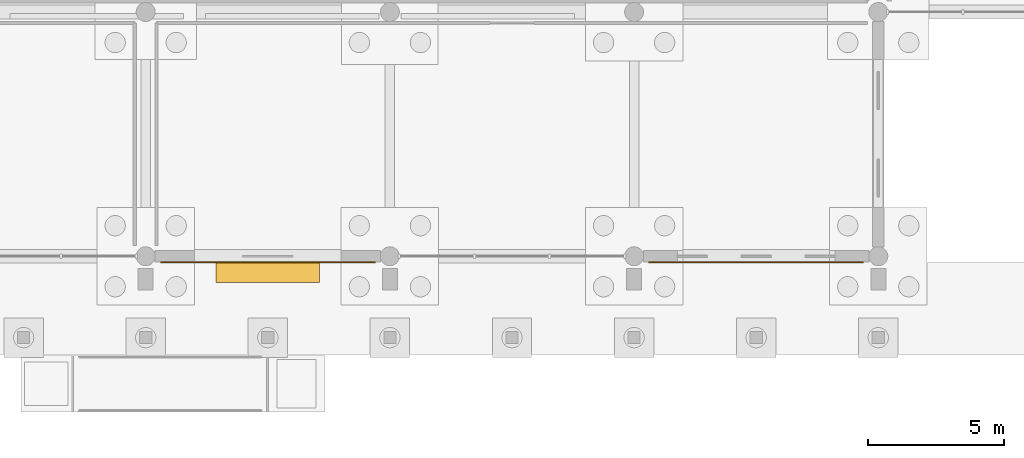
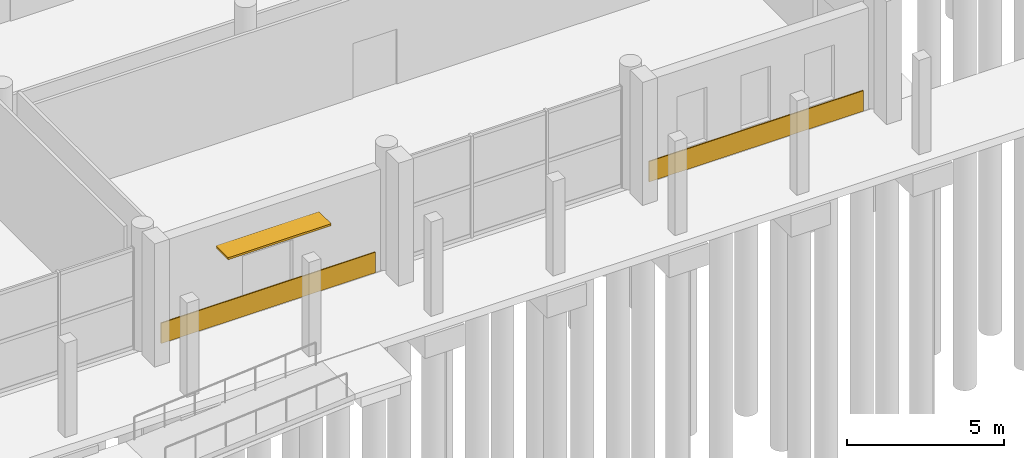
# One storey, part 105 of 112: 2 coverings, 1 shading device.
"""IFC4 building model written with IfcOpenShell, lengths in metres."""

from ifc_helpers import new_model, si_unit, direction, frame, origin, origin_2d, place, context, subcontext, project, spatial, rectangle, extrude, material, layer, layer_set, type_object, element, save


model = new_model("IFC4")

# Units and contexts
model_context = context("Model", 3, precision=1e-05, world=origin(), true_north=direction((0.0, 1.0)))
body_context = subcontext(model_context, "Body", "Model", "MODEL_VIEW")
ifc_project = project(units=[si_unit("LENGTHUNIT", "METRE"), si_unit("AREAUNIT", "SQUARE_METRE"), si_unit("VOLUMEUNIT", "CUBIC_METRE"), si_unit("PLANEANGLEUNIT", "RADIAN"), si_unit("MASSUNIT", "GRAM", prefix="KILO")], contexts=[model_context])

# Site, building, storey
site_placement = place(None, origin())
site = spatial("IfcSite", under=ifc_project, at=site_placement, CompositionType="ELEMENT")
building_placement = place(site_placement, origin())
building = spatial("IfcBuilding", under=site, at=building_placement, Name="Tharagai Park Tramway Depot", CompositionType="ELEMENT")
storey_placement = place(building_placement, origin())
storey = spatial("IfcBuildingStorey", under=building, at=storey_placement, Name="L00", CompositionType="ELEMENT", Elevation=0.0)

# Coverings
ifc_material_1 = material(Name="Charnockite stone", Category="masonry")
ifc_layer_1 = layer(ifc_material_1, 0.0400390625)
ifc_layer_set_1 = layer_set([ifc_layer_1], Name="Charnockite stone")
covering_type = type_object("IfcCoveringType", Name="CV-02", PredefinedType="CLADDING", material=ifc_layer_set_1)
for number, where, z_axis, x_axis, name in (
    (1, (166.5, -0.22509765625, 0.02001953125), (0.0, 0.0, 1.0), (1.0, 0.0, 0.0), "Charnockite Plinth Cladding CV-02 #8"),
    (2, (184.5, -0.22509765625, 0.02001953125), (0.0, 0.0, 1.0), (1.0, 0.0, 0.0), "Charnockite Plinth Cladding CV-02 #9"),
):
    element("IfcCovering", number, at=place(storey_placement, frame(where, z_axis=z_axis, x_axis=x_axis)), inside=storey, type_object=covering_type, Name=name, PredefinedType="CLADDING", context=body_context, shape_type="SweptSolid", body=[
        extrude(rectangle(XDim=7.904052734375, YDim=0.0400390625, at=origin_2d()), origin(), (0.0, 0.0, 1.0), 0.800048828125),
    ])

# Shading device
ifc_material_2 = material(Name="Anodised aluminium", Category="aluminium")
ifc_layer_2 = layer(ifc_material_2, 0.080078125)
ifc_layer_set_2 = layer_set([ifc_layer_2], Name="Anodised aluminium")
shading_device_type = type_object("IfcShadingDeviceType", Name="SD-04", PredefinedType="AWNING", material=ifc_layer_set_2)
shading_device_placement = place(storey_placement, frame((166.5, -0.580078125, 3.010009765625), z_axis=(0.0, 0.0, 1.0), x_axis=(1.0, 0.0, 0.0)))
element("IfcShadingDevice", 3, at=shading_device_placement, inside=storey, type_object=shading_device_type, Name="Entrance Monsoon Canopy Awning SD-04 #8", PredefinedType="AWNING", context=body_context, shape_type="SweptSolid", body=[
    extrude(rectangle(XDim=3.800048828125, YDim=0.780029296875, at=origin_2d()), origin(), (0.0, 0.0, 1.0), 0.080078125),
])

save(model, "model.ifc")
